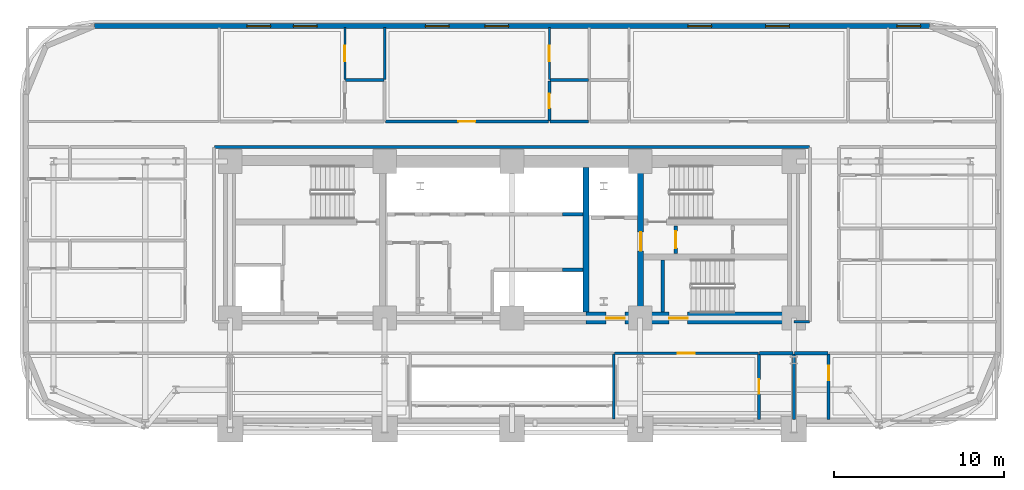
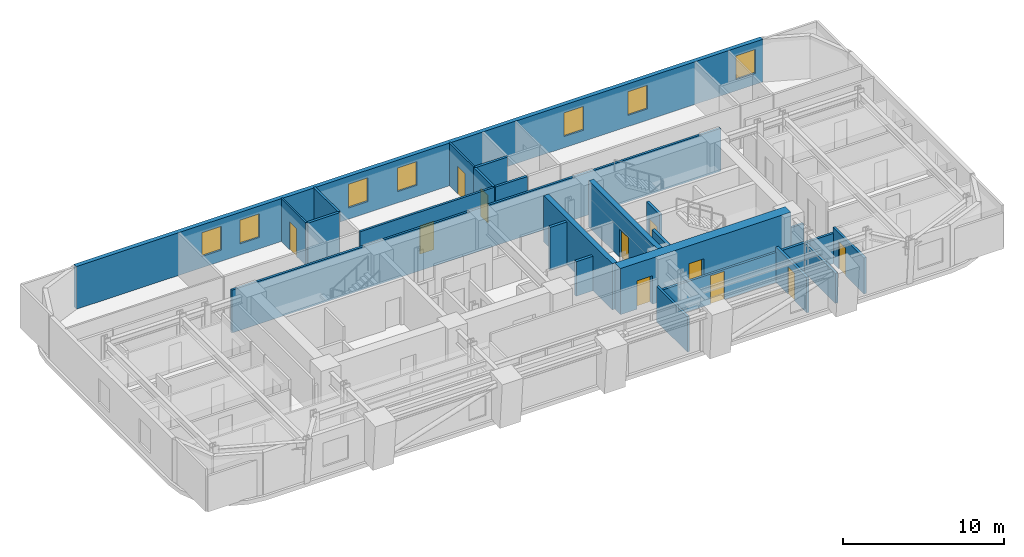
# One storey, part 10 of 16: 25 walls, 11 doors, 7 windows, 18 openings.
"""IFC4 building model written with IfcOpenShell, lengths in metres."""

from ifc_helpers import new_model, si_unit, direction, frame, frame_2d, origin, place, context, subcontext, project, spatial, rectangle, extrude, material, layer, layer_set, type_object, element, fill, save


model = new_model("IFC4")

# Units and contexts
model_context = context("Model", 3, precision=1e-05, world=origin(), true_north=direction((0.0, 1.0)))
body_context = subcontext(model_context, "Body", "Model", "MODEL_VIEW")
ifc_project = project(units=[si_unit("LENGTHUNIT", "METRE"), si_unit("AREAUNIT", "SQUARE_METRE"), si_unit("VOLUMEUNIT", "CUBIC_METRE"), si_unit("PLANEANGLEUNIT", "RADIAN"), si_unit("MASSUNIT", "GRAM", prefix="KILO")], contexts=[model_context])

# Site, building, storey
site_placement = place(None, origin())
site = spatial("IfcSite", under=ifc_project, at=site_placement, CompositionType="ELEMENT")
building_placement = place(site_placement, origin())
building = spatial("IfcBuilding", under=site, at=building_placement, Name="Zarnavel Station Tower", CompositionType="ELEMENT")
storey_placement = place(building_placement, frame((0.0, 0.0, 53.5)))
storey = spatial("IfcBuildingStorey", under=building, at=storey_placement, Name="L14", CompositionType="ELEMENT", Elevation=53.5)

# Wall
ifc_material_1 = material(Name="Concrete C50/60", Category="concrete")
ifc_layer_1 = layer(ifc_material_1, 0.35009765625)
ifc_layer_set_1 = layer_set([ifc_layer_1], Name="CW_350")
wall_type_1 = type_object("IfcWallType", Name="CW_350", PredefinedType="SHEAR", material=ifc_layer_set_1)
wall_1_placement = place(storey_placement, frame((33.14990234375, 28.169921875, 0.0), z_axis=(0.0, 0.0, 1.0), x_axis=(0.0, 1.0, 0.0)))
element("IfcWall", 1, at=wall_1_placement, inside=storey, type_object=wall_type_1, Name="L14 Rear Core Shear Wall DIV-E", PredefinedType="SHEAR", context=body_context, shape_type="SweptSolid", body=[
    extrude(rectangle(XDim=8.530029296875, YDim=0.35009765625, at=frame_2d((4.26513671875, 0.0))), origin(), (0.0, 0.0, 1.0), 3.5),
])

# Wall, opening, door
wall_2_placement = place(storey_placement, frame((36.3798828125, 28.169921875, 0.0), z_axis=(0.0, 0.0, 1.0), x_axis=(0.0, 1.0, 0.0)))
wall_2 = element("IfcWall", 2, at=wall_2_placement, inside=storey, type_object=wall_type_1, Name="L14 Rear Core Shear Wall DIV-S2", PredefinedType="SHEAR", context=body_context, shape_type="SweptSolid", body=[
    extrude(rectangle(XDim=8.530029296875, YDim=0.35009765625, at=frame_2d((4.26513671875, 0.0))), origin(), (0.0, 0.0, 1.0), 3.5),
])
opening_1_placement = place(wall_2_placement, frame((3.610107421875, 0.0, 0.0)))
opening_1 = element("IfcOpeningElement", 3, at=opening_1_placement, cuts=wall_2, Name="Opening FD01", PredefinedType="OPENING", context=body_context, shape_type="SweptSolid", body=[
    extrude(rectangle(XDim=1.10009765625, YDim=2.14990234375, at=frame_2d((0.550048828125, 1.074951171875))), frame((0.0, 0.18505859375, 0.0), z_axis=(0.0, -1.0, 0.0), x_axis=(1.0, 0.0, 0.0)), (0.0, 0.0, 1.0), 0.3701171875),
])
ifc_material_2 = material(Name="Painted Galvanised Steel and Hardwood Leaf", Category="steel")
door_type_1 = type_object("IfcDoorType", Name="ID_STAIR_1100", OperationType="NOTDEFINED", PredefinedType="DOOR", material=ifc_material_2)
door_1_placement = place(opening_1_placement, origin())
door_1 = element("IfcDoor", 4, at=door_1_placement, inside=storey, type_object=door_type_1, Name="L14 East Stair Vestibule Fire Door", OperationType="SINGLE_SWING_LEFT", OverallHeight=2.14990234375, OverallWidth=1.10009765625, PredefinedType="DOOR", context=body_context, shape_type="SweptSolid", body=[
    extrude(rectangle(XDim=1.10009765625, YDim=2.14990234375, at=frame_2d((0.550048828125, 1.074951171875))), frame((0.0, 0.02490234375, 0.0), z_axis=(0.0, -1.0, 0.0), x_axis=(1.0, 0.0, 0.0)), (0.0, 0.0, 1.0), 0.050048828125),
])
fill(opening_1, door_1)

# Wall, openings, doors
ifc_material_3 = material(Name="Concrete C60/75", Category="concrete")
ifc_layer_2 = layer(ifc_material_3, 0.699951171875)
ifc_layer_set_2 = layer_set([ifc_layer_2], Name="CW_700")
wall_type_2 = type_object("IfcWallType", Name="CW_700", PredefinedType="SHEAR", material=ifc_layer_set_2)
wall_3_placement = place(storey_placement, frame((45.3798828125, 27.820068359375, 0.0), z_axis=(0.0, 0.0, 1.0), x_axis=(-1.0, 0.0, 0.0)))
wall_3 = element("IfcWall", 5, at=wall_3_placement, inside=storey, type_object=wall_type_2, Name="L14 Rear Core Shear Wall S-E", PredefinedType="SHEAR", context=body_context, shape_type="SweptSolid", body=[
    extrude(rectangle(XDim=12.22998046875, YDim=0.699951171875, at=frame_2d((6.114990234375, 0.0))), origin(), (0.0, 0.0, 1.0), 3.5),
])
opening_2_placement = place(wall_3_placement, frame((9.929931640625, 0.0, 0.0)))
opening_2 = element("IfcOpeningElement", 6, at=opening_2_placement, cuts=wall_3, Name="Opening FD01", PredefinedType="OPENING", context=body_context, shape_type="SweptSolid", body=[
    extrude(rectangle(XDim=1.10009765625, YDim=2.14990234375, at=frame_2d((0.550048828125, 1.074951171875))), frame((0.0, 0.35986328125, 0.0), z_axis=(0.0, -1.0, 0.0), x_axis=(1.0, 0.0, 0.0)), (0.0, 0.0, 1.0), 0.719970703125),
])
opening_3_placement = place(wall_3_placement, frame((6.22998046875, 0.0, 0.0)))
opening_3 = element("IfcOpeningElement", 7, at=opening_3_placement, cuts=wall_3, Name="Opening FD01", PredefinedType="OPENING", context=body_context, shape_type="SweptSolid", body=[
    extrude(rectangle(XDim=1.10009765625, YDim=2.14990234375, at=frame_2d((0.550048828125, 1.074951171875))), frame((0.0, 0.35986328125, 0.0), z_axis=(0.0, -1.0, 0.0), x_axis=(1.0, 0.0, 0.0)), (0.0, 0.0, 1.0), 0.719970703125),
])
door_2_placement = place(opening_2_placement, origin())
door_2 = element("IfcDoor", 8, at=door_2_placement, inside=storey, type_object=door_type_1, Name="L14 East Firefighting Lobby Door", OperationType="SINGLE_SWING_LEFT", OverallHeight=2.14990234375, OverallWidth=1.10009765625, PredefinedType="DOOR", context=body_context, shape_type="SweptSolid", body=[
    extrude(rectangle(XDim=1.10009765625, YDim=2.14990234375, at=frame_2d((0.550048828125, 1.074951171875))), frame((0.0, 0.02490234375, 0.0), z_axis=(0.0, -1.0, 0.0), x_axis=(1.0, 0.0, 0.0)), (0.0, 0.0, 1.0), 0.050048828125),
])
fill(opening_2, door_2)
door_3_placement = place(opening_3_placement, origin())
door_3 = element("IfcDoor", 9, at=door_3_placement, inside=storey, type_object=door_type_1, Name="L14 Stair ST3 Corridor Fire Door", OperationType="SINGLE_SWING_RIGHT", OverallHeight=2.14990234375, OverallWidth=1.10009765625, PredefinedType="DOOR", context=body_context, shape_type="SweptSolid", body=[
    extrude(rectangle(XDim=1.10009765625, YDim=2.14990234375, at=frame_2d((0.550048828125, 1.074951171875))), frame((0.0, 0.02490234375, 0.0), z_axis=(0.0, -1.0, 0.0), x_axis=(1.0, 0.0, 0.0)), (0.0, 0.0, 1.0), 0.050048828125),
])
fill(opening_3, door_3)

# Wall, openings, windows
ifc_material_4 = material(Name="Precast concrete C45/55 (Dark Basalt Finish)", Category="masonry")
ifc_layer_3 = layer(ifc_material_4, 0.300048828125)
ifc_layer_set_3 = layer_set([ifc_layer_3], Name="EW_BASALT_300")
wall_type_3 = type_object("IfcWallType", Name="EW_BASALT_300", PredefinedType="SOLIDWALL", material=ifc_layer_set_3)
wall_4_placement = place(storey_placement, frame((4.199951171875, 45.02001953125, 0.0), z_axis=(0.0, 0.0, 1.0), x_axis=(1.0, 0.0, 0.0)))
wall_4 = element("IfcWall", 10, at=wall_4_placement, inside=storey, type_object=wall_type_3, Name="L14 Exterior Basalt Masonry Frame Wall 06", PredefinedType="SOLIDWALL", context=body_context, shape_type="SweptSolid", body=[
    extrude(rectangle(XDim=49.199951171875, YDim=0.300048828125, at=frame_2d((24.60009765625, 0.0))), origin(), (0.0, 0.0, 1.0), 3.239990234375),
])
opening_4_placement = place(wall_4_placement, frame((8.989990234375, 0.0, 0.85009765625)))
opening_4 = element("IfcOpeningElement", 11, at=opening_4_placement, cuts=wall_4, Name="Opening WN01", PredefinedType="OPENING", context=body_context, shape_type="SweptSolid", body=[
    extrude(rectangle(XDim=1.39990234375, YDim=1.800048828125, at=frame_2d((0.699951171875, 0.89990234375))), frame((0.0, 0.159912109375, 0.0), z_axis=(0.0, -1.0, 0.0), x_axis=(1.0, 0.0, 0.0)), (0.0, 0.0, 1.0), 0.320068359375),
])
opening_5_placement = place(wall_4_placement, frame((11.719970703125, 0.0, 0.85009765625)))
opening_5 = element("IfcOpeningElement", 12, at=opening_5_placement, cuts=wall_4, Name="Opening WN01", PredefinedType="OPENING", context=body_context, shape_type="SweptSolid", body=[
    extrude(rectangle(XDim=1.39990234375, YDim=1.800048828125, at=frame_2d((0.699951171875, 0.89990234375))), frame((0.0, 0.159912109375, 0.0), z_axis=(0.0, -1.0, 0.0), x_axis=(1.0, 0.0, 0.0)), (0.0, 0.0, 1.0), 0.320068359375),
])
opening_6_placement = place(wall_4_placement, frame((19.4990234375, 0.0, 0.85009765625)))
opening_6 = element("IfcOpeningElement", 13, at=opening_6_placement, cuts=wall_4, Name="Opening WN01", PredefinedType="OPENING", context=body_context, shape_type="SweptSolid", body=[
    extrude(rectangle(XDim=1.39990234375, YDim=1.800048828125, at=frame_2d((0.699951171875, 0.89990234375))), frame((0.0, 0.159912109375, 0.0), z_axis=(0.0, -1.0, 0.0), x_axis=(1.0, 0.0, 0.0)), (0.0, 0.0, 1.0), 0.320068359375),
])
opening_7_placement = place(wall_4_placement, frame((22.998046875, 0.0, 0.85009765625)))
opening_7 = element("IfcOpeningElement", 14, at=opening_7_placement, cuts=wall_4, Name="Opening WN01", PredefinedType="OPENING", context=body_context, shape_type="SweptSolid", body=[
    extrude(rectangle(XDim=1.39990234375, YDim=1.800048828125, at=frame_2d((0.699951171875, 0.89990234375))), frame((0.0, 0.159912109375, 0.0), z_axis=(0.0, -1.0, 0.0), x_axis=(1.0, 0.0, 0.0)), (0.0, 0.0, 1.0), 0.320068359375),
])
opening_8_placement = place(wall_4_placement, frame((34.964599609375, 0.0, 0.85009765625)))
opening_8 = element("IfcOpeningElement", 15, at=opening_8_placement, cuts=wall_4, Name="Opening WN01", PredefinedType="OPENING", context=body_context, shape_type="SweptSolid", body=[
    extrude(rectangle(XDim=1.39990234375, YDim=1.800048828125, at=frame_2d((0.699951171875, 0.89990234375))), frame((0.0, 0.159912109375, 0.0), z_axis=(0.0, -1.0, 0.0), x_axis=(1.0, 0.0, 0.0)), (0.0, 0.0, 1.0), 0.320068359375),
])
opening_9_placement = place(wall_4_placement, frame((39.5322265625, 0.0, 0.85009765625)))
opening_9 = element("IfcOpeningElement", 16, at=opening_9_placement, cuts=wall_4, Name="Opening WN01", PredefinedType="OPENING", context=body_context, shape_type="SweptSolid", body=[
    extrude(rectangle(XDim=1.39990234375, YDim=1.800048828125, at=frame_2d((0.699951171875, 0.89990234375))), frame((0.0, 0.159912109375, 0.0), z_axis=(0.0, -1.0, 0.0), x_axis=(1.0, 0.0, 0.0)), (0.0, 0.0, 1.0), 0.320068359375),
])
opening_10_placement = place(wall_4_placement, frame((47.264892578125, 0.0, 0.85009765625)))
opening_10 = element("IfcOpeningElement", 17, at=opening_10_placement, cuts=wall_4, Name="Opening WN01", PredefinedType="OPENING", context=body_context, shape_type="SweptSolid", body=[
    extrude(rectangle(XDim=1.39990234375, YDim=1.800048828125, at=frame_2d((0.699951171875, 0.89990234375))), frame((0.0, 0.159912109375, 0.0), z_axis=(0.0, -1.0, 0.0), x_axis=(1.0, 0.0, 0.0)), (0.0, 0.0, 1.0), 0.320068359375),
])
ifc_material_5 = material(Name="Thermally Broken Black Aluminium and Low-E Dark Glass", Category="aluminium")
window_type = type_object("IfcWindowType", Name="WN_1400x1800", PartitioningType="DOUBLE_PANEL_VERTICAL", PredefinedType="WINDOW", material=ifc_material_5)
window_1_placement = place(opening_4_placement, origin())
window_1 = element("IfcWindow", 18, at=window_1_placement, inside=storey, type_object=window_type, Name="L14 Recessed Facade Window 01", OverallHeight=1.800048828125, OverallWidth=1.39990234375, PartitioningType="SINGLE_PANEL", PredefinedType="WINDOW", context=body_context, shape_type="SweptSolid", body=[
    extrude(rectangle(XDim=1.39990234375, YDim=1.800048828125, at=frame_2d((0.699951171875, 0.89990234375))), frame((0.0, 0.030029296875, 0.0), z_axis=(0.0, -1.0, 0.0), x_axis=(1.0, 0.0, 0.0)), (0.0, 0.0, 1.0), 0.06005859375),
])
fill(opening_4, window_1)
window_2_placement = place(opening_5_placement, origin())
window_2 = element("IfcWindow", 19, at=window_2_placement, inside=storey, type_object=window_type, Name="L14 Recessed Facade Window 02", OverallHeight=1.800048828125, OverallWidth=1.39990234375, PartitioningType="SINGLE_PANEL", PredefinedType="WINDOW", context=body_context, shape_type="SweptSolid", body=[
    extrude(rectangle(XDim=1.39990234375, YDim=1.800048828125, at=frame_2d((0.699951171875, 0.89990234375))), frame((0.0, 0.030029296875, 0.0), z_axis=(0.0, -1.0, 0.0), x_axis=(1.0, 0.0, 0.0)), (0.0, 0.0, 1.0), 0.06005859375),
])
fill(opening_5, window_2)
window_3_placement = place(opening_6_placement, origin())
window_3 = element("IfcWindow", 20, at=window_3_placement, inside=storey, type_object=window_type, Name="L14 Recessed Facade Window 03", OverallHeight=1.800048828125, OverallWidth=1.39990234375, PartitioningType="SINGLE_PANEL", PredefinedType="WINDOW", context=body_context, shape_type="SweptSolid", body=[
    extrude(rectangle(XDim=1.39990234375, YDim=1.800048828125, at=frame_2d((0.699951171875, 0.89990234375))), frame((0.0, 0.030029296875, 0.0), z_axis=(0.0, -1.0, 0.0), x_axis=(1.0, 0.0, 0.0)), (0.0, 0.0, 1.0), 0.06005859375),
])
fill(opening_6, window_3)
window_4_placement = place(opening_7_placement, origin())
window_4 = element("IfcWindow", 21, at=window_4_placement, inside=storey, type_object=window_type, Name="L14 Recessed Facade Window 04", OverallHeight=1.800048828125, OverallWidth=1.39990234375, PartitioningType="SINGLE_PANEL", PredefinedType="WINDOW", context=body_context, shape_type="SweptSolid", body=[
    extrude(rectangle(XDim=1.39990234375, YDim=1.800048828125, at=frame_2d((0.699951171875, 0.89990234375))), frame((0.0, 0.030029296875, 0.0), z_axis=(0.0, -1.0, 0.0), x_axis=(1.0, 0.0, 0.0)), (0.0, 0.0, 1.0), 0.06005859375),
])
fill(opening_7, window_4)
window_5_placement = place(opening_8_placement, origin())
window_5 = element("IfcWindow", 22, at=window_5_placement, inside=storey, type_object=window_type, Name="L14 Recessed Facade Window 05", OverallHeight=1.800048828125, OverallWidth=1.39990234375, PartitioningType="SINGLE_PANEL", PredefinedType="WINDOW", context=body_context, shape_type="SweptSolid", body=[
    extrude(rectangle(XDim=1.39990234375, YDim=1.800048828125, at=frame_2d((0.699951171875, 0.89990234375))), frame((0.0, 0.030029296875, 0.0), z_axis=(0.0, -1.0, 0.0), x_axis=(1.0, 0.0, 0.0)), (0.0, 0.0, 1.0), 0.06005859375),
])
fill(opening_8, window_5)
window_6_placement = place(opening_9_placement, origin())
window_6 = element("IfcWindow", 23, at=window_6_placement, inside=storey, type_object=window_type, Name="L14 Recessed Facade Window 06", OverallHeight=1.800048828125, OverallWidth=1.39990234375, PartitioningType="SINGLE_PANEL", PredefinedType="WINDOW", context=body_context, shape_type="SweptSolid", body=[
    extrude(rectangle(XDim=1.39990234375, YDim=1.800048828125, at=frame_2d((0.699951171875, 0.89990234375))), frame((0.0, 0.030029296875, 0.0), z_axis=(0.0, -1.0, 0.0), x_axis=(1.0, 0.0, 0.0)), (0.0, 0.0, 1.0), 0.06005859375),
])
fill(opening_9, window_6)
window_7_placement = place(opening_10_placement, origin())
window_7 = element("IfcWindow", 24, at=window_7_placement, inside=storey, type_object=window_type, Name="L14 Recessed Facade Window 07", OverallHeight=1.800048828125, OverallWidth=1.39990234375, PartitioningType="SINGLE_PANEL", PredefinedType="WINDOW", context=body_context, shape_type="SweptSolid", body=[
    extrude(rectangle(XDim=1.39990234375, YDim=1.800048828125, at=frame_2d((0.699951171875, 0.89990234375))), frame((0.0, 0.030029296875, 0.0), z_axis=(0.0, -1.0, 0.0), x_axis=(1.0, 0.0, 0.0)), (0.0, 0.0, 1.0), 0.06005859375),
])
fill(opening_10, window_7)

# Wall, opening, door
ifc_material_6 = material(Name="Gypsum Twin-Stud Acoustic Fire Partition", Category="concrete")
ifc_layer_4 = layer(ifc_material_6, 0.159912109375)
ifc_layer_set_4 = layer_set([ifc_layer_4], Name="PT_DEMISE_160")
wall_type_4 = type_object("IfcWallType", Name="PT_DEMISE_160", PredefinedType="PARTITIONING", material=ifc_layer_set_4)
wall_5_placement = place(storey_placement, frame((34.840087890625, 25.75, 0.0), z_axis=(0.0, 0.0, 1.0), x_axis=(1.0, 0.0, 0.0)))
wall_5 = element("IfcWall", 25, at=wall_5_placement, inside=storey, type_object=wall_type_4, Name="L14 Partition COR-S-HE1R", PredefinedType="PARTITIONING", context=body_context, shape_type="SweptSolid", body=[
    extrude(rectangle(XDim=8.469970703125, YDim=0.159912109375, at=frame_2d((4.23486328125, 0.0))), origin(), (0.0, 0.0, 1.0), 2.280029296875),
])
opening_11_placement = place(wall_5_placement, frame((3.735107421875, 0.0, 0.0)))
opening_11 = element("IfcOpeningElement", 26, at=opening_11_placement, cuts=wall_5, Name="Opening FD02", PredefinedType="OPENING", context=body_context, shape_type="SweptSolid", body=[
    extrude(rectangle(XDim=1.0, YDim=2.14990234375, at=frame_2d((0.5, 1.074951171875))), frame((0.0, 0.08984375, 0.0), z_axis=(0.0, -1.0, 0.0), x_axis=(1.0, 0.0, 0.0)), (0.0, 0.0, 1.0), 0.179931640625),
])
ifc_material_7 = material(Name="Painted Galvanised Steel and Hardwood Leaf", Category="steel")
door_type_2 = type_object("IfcDoorType", Name="ID_ENTRY_1000", OperationType="NOTDEFINED", PredefinedType="DOOR", material=ifc_material_7)
door_4_placement = place(opening_11_placement, origin())
door_4 = element("IfcDoor", 27, at=door_4_placement, inside=storey, type_object=door_type_2, Name="L14 Door COR-S-HE1R", OperationType="SINGLE_SWING_RIGHT", OverallHeight=2.14990234375, OverallWidth=1.0, PredefinedType="DOOR", context=body_context, shape_type="SweptSolid", body=[
    extrude(rectangle(XDim=1.0, YDim=2.14990234375, at=frame_2d((0.5, 1.074951171875))), frame((0.0, 0.02490234375, 0.0), z_axis=(0.0, -1.0, 0.0), x_axis=(1.0, 0.0, 0.0)), (0.0, 0.0, 1.0), 0.050048828125),
])
fill(opening_11, door_4)

wall_6_placement = place(storey_placement, frame((21.340087890625, 39.39990234375, 0.0), z_axis=(0.0, 0.0, 1.0), x_axis=(1.0, 0.0, 0.0)))
wall_6 = element("IfcWall", 28, at=wall_6_placement, inside=storey, type_object=wall_type_4, Name="L14 Partition COR-N-HN2R", PredefinedType="PARTITIONING", context=body_context, shape_type="SweptSolid", body=[
    extrude(rectangle(XDim=9.616943359375, YDim=0.159912109375, at=frame_2d((4.80859375, 0.0))), origin(), (0.0, 0.0, 1.0), 3.239990234375),
])
opening_12_placement = place(wall_6_placement, frame((4.30859375, 0.0, 0.0)))
opening_12 = element("IfcOpeningElement", 29, at=opening_12_placement, cuts=wall_6, Name="Opening FD02", PredefinedType="OPENING", context=body_context, shape_type="SweptSolid", body=[
    extrude(rectangle(XDim=1.0, YDim=2.14990234375, at=frame_2d((0.5, 1.074951171875))), frame((0.0, 0.08984375, 0.0), z_axis=(0.0, -1.0, 0.0), x_axis=(1.0, 0.0, 0.0)), (0.0, 0.0, 1.0), 0.179931640625),
])
door_5_placement = place(opening_12_placement, origin())
door_5 = element("IfcDoor", 30, at=door_5_placement, inside=storey, type_object=door_type_2, Name="L14 Door COR-N-HN2R", OperationType="SINGLE_SWING_RIGHT", OverallHeight=2.14990234375, OverallWidth=1.0, PredefinedType="DOOR", context=body_context, shape_type="SweptSolid", body=[
    extrude(rectangle(XDim=1.0, YDim=2.14990234375, at=frame_2d((0.5, 1.074951171875))), frame((0.0, 0.02490234375, 0.0), z_axis=(0.0, -1.0, 0.0), x_axis=(1.0, 0.0, 0.0)), (0.0, 0.0, 1.0), 0.050048828125),
])
fill(opening_12, door_5)

# Walls
wall_7_placement = place(storey_placement, frame((21.300048828125, 41.8779296875, 0.0), z_axis=(0.0, 0.0, 1.0), x_axis=(0.0, 1.0, 0.0)))
element("IfcWall", 31, at=wall_7_placement, inside=storey, type_object=wall_type_4, Name="L14 Partition HN1S-HN2R", PredefinedType="PARTITIONING", context=body_context, shape_type="SweptSolid", body=[
    extrude(rectangle(XDim=3.06201171875, YDim=0.159912109375, at=frame_2d((1.531005859375, 0.0))), origin(), (0.0, 0.0, 1.0), 3.239990234375),
])
wall_8_placement = place(storey_placement, frame((45.409912109375, 27.60009765625, 0.0), z_axis=(0.0, 0.0, 1.0), x_axis=(1.0, 0.0, 0.0)))
element("IfcWall", 32, at=wall_8_placement, inside=storey, type_object=wall_type_4, Name="L14 Enclosure Wall COR-S", PredefinedType="PARTITIONING", context=body_context, shape_type="SweptSolid", body=[
    extrude(rectangle(XDim=0.91015625, YDim=0.159912109375, at=frame_2d((0.455078125, 0.0))), origin(), (0.0, 0.0, 1.0), 2.280029296875),
])
wall_9_placement = place(storey_placement, frame((11.280029296875, 37.89990234375, 0.0), z_axis=(0.0, 0.0, 1.0), x_axis=(1.0, 0.0, 0.0)))
element("IfcWall", 33, at=wall_9_placement, inside=storey, type_object=wall_type_4, Name="L14 Enclosure Wall COR-N", PredefinedType="PARTITIONING", context=body_context, shape_type="SweptSolid", body=[
    extrude(rectangle(XDim=35.0400390625, YDim=0.159912109375, at=frame_2d((17.52001953125, 0.0))), origin(), (0.0, 0.0, 1.0), 3.239990234375),
])
wall_10_placement = place(storey_placement, frame((34.800048828125, 21.889892578125, 0.0), z_axis=(0.0, 0.0, 1.0), x_axis=(0.0, 1.0, 0.0)))
element("IfcWall", 34, at=wall_10_placement, inside=storey, type_object=wall_type_4, Name="L14 Enclosure Wall HE1R", PredefinedType="PARTITIONING", context=body_context, shape_type="SweptSolid", body=[
    extrude(rectangle(XDim=3.830078125, YDim=0.159912109375, at=frame_2d((1.9150390625, 0.0))), origin(), (0.0, 0.0, 1.0), 2.679931640625),
])

# Wall, opening, door
ifc_material_8 = material(Name="Gypsum Metal-Stud Interior Partition", Category="concrete")
ifc_layer_5 = layer(ifc_material_8, 0.1201171875)
ifc_layer_set_5 = layer_set([ifc_layer_5], Name="PT_ROOM_120")
wall_type_5 = type_object("IfcWallType", Name="PT_ROOM_120", PredefinedType="PARTITIONING", material=ifc_layer_set_5)
wall_11_placement = place(storey_placement, frame((18.949951171875, 41.8779296875, 0.0), z_axis=(0.0, 0.0, 1.0), x_axis=(0.0, 1.0, 0.0)))
wall_11 = element("IfcWall", 35, at=wall_11_placement, inside=storey, type_object=wall_type_5, Name="L14 Partition HN1R-HN1S", PredefinedType="PARTITIONING", context=body_context, shape_type="SweptSolid", body=[
    extrude(rectangle(XDim=3.06201171875, YDim=0.1201171875, at=frame_2d((1.531005859375, 0.0))), origin(), (0.0, 0.0, 1.0), 3.239990234375),
])
opening_13_placement = place(wall_11_placement, frame((1.0810546875, 0.0, 0.0)))
opening_13 = element("IfcOpeningElement", 36, at=opening_13_placement, cuts=wall_11, Name="Opening ID01", PredefinedType="OPENING", context=body_context, shape_type="SweptSolid", body=[
    extrude(rectangle(XDim=0.89990234375, YDim=2.10009765625, at=frame_2d((0.449951171875, 1.050048828125))), frame((0.0, 0.070068359375, 0.0), z_axis=(0.0, -1.0, 0.0), x_axis=(1.0, 0.0, 0.0)), (0.0, 0.0, 1.0), 0.14013671875),
])
ifc_material_9 = material(Name="Painted Galvanised Steel and Hardwood Leaf", Category="steel")
door_type_3 = type_object("IfcDoorType", Name="ID_ROOM_900", OperationType="NOTDEFINED", PredefinedType="DOOR", material=ifc_material_9)
door_6_placement = place(opening_13_placement, origin())
door_6 = element("IfcDoor", 37, at=door_6_placement, inside=storey, type_object=door_type_3, Name="L14 Door HN1R-HN1S", OperationType="SINGLE_SWING_RIGHT", OverallHeight=2.10009765625, OverallWidth=0.89990234375, PredefinedType="DOOR", context=body_context, shape_type="SweptSolid", body=[
    extrude(rectangle(XDim=0.89990234375, YDim=2.10009765625, at=frame_2d((0.449951171875, 1.050048828125))), frame((0.0, 0.02490234375, 0.0), z_axis=(0.0, -1.0, 0.0), x_axis=(1.0, 0.0, 0.0)), (0.0, 0.0, 1.0), 0.050048828125),
])
fill(opening_13, door_6)

wall_12_placement = place(storey_placement, frame((30.9970703125, 41.8779296875, 0.0), z_axis=(0.0, 0.0, 1.0), x_axis=(0.0, 1.0, 0.0)))
wall_12 = element("IfcWall", 38, at=wall_12_placement, inside=storey, type_object=wall_type_5, Name="L14 Partition HN2R-HN2S", PredefinedType="PARTITIONING", context=body_context, shape_type="SweptSolid", body=[
    extrude(rectangle(XDim=3.06201171875, YDim=0.1201171875, at=frame_2d((1.531005859375, 0.0))), origin(), (0.0, 0.0, 1.0), 3.239990234375),
])
opening_14_placement = place(wall_12_placement, frame((1.0810546875, 0.0, 0.0)))
opening_14 = element("IfcOpeningElement", 39, at=opening_14_placement, cuts=wall_12, Name="Opening ID01", PredefinedType="OPENING", context=body_context, shape_type="SweptSolid", body=[
    extrude(rectangle(XDim=0.89990234375, YDim=2.10009765625, at=frame_2d((0.449951171875, 1.050048828125))), frame((0.0, 0.070068359375, 0.0), z_axis=(0.0, -1.0, 0.0), x_axis=(1.0, 0.0, 0.0)), (0.0, 0.0, 1.0), 0.14013671875),
])
door_7_placement = place(opening_14_placement, origin())
door_7 = element("IfcDoor", 40, at=door_7_placement, inside=storey, type_object=door_type_3, Name="L14 Door HN2R-HN2S", OperationType="SINGLE_SWING_RIGHT", OverallHeight=2.10009765625, OverallWidth=0.89990234375, PredefinedType="DOOR", context=body_context, shape_type="SweptSolid", body=[
    extrude(rectangle(XDim=0.89990234375, YDim=2.10009765625, at=frame_2d((0.449951171875, 1.050048828125))), frame((0.0, 0.02490234375, 0.0), z_axis=(0.0, -1.0, 0.0), x_axis=(1.0, 0.0, 0.0)), (0.0, 0.0, 1.0), 0.050048828125),
])
fill(opening_14, door_7)

# Walls
ifc_material_10 = material(Name="Precast concrete C45/55 (Fire Shaft Blockwork)", Category="masonry")
ifc_layer_6 = layer(ifc_material_10, 0.199951171875)
ifc_layer_set_6 = layer_set([ifc_layer_6], Name="PT_SHAFT_200")
wall_type_6 = type_object("IfcWallType", Name="PT_SHAFT_200", PredefinedType="PARTITIONING", material=ifc_layer_set_6)
wall_13_placement = place(storey_placement, frame((31.77490234375, 30.669921875, 0.0), z_axis=(0.0, 0.0, 1.0), x_axis=(1.0, 0.0, 0.0)))
element("IfcWall", 41, at=wall_13_placement, inside=storey, type_object=wall_type_6, Name="L14 Lift PL-H3 Shaft Front Wall", PredefinedType="PARTITIONING", context=body_context, shape_type="SweptSolid", body=[
    extrude(rectangle(XDim=1.2001953125, YDim=0.199951171875, at=frame_2d((0.60009765625, 0.0))), origin(), (0.0, 0.0, 1.0), 2.6201171875),
])
wall_14_placement = place(storey_placement, frame((31.77490234375, 33.929931640625, 0.0), z_axis=(0.0, 0.0, 1.0), x_axis=(1.0, 0.0, 0.0)))
element("IfcWall", 42, at=wall_14_placement, inside=storey, type_object=wall_type_6, Name="L14 Lift PL-M3 Shaft Front Wall", PredefinedType="PARTITIONING", context=body_context, shape_type="SweptSolid", body=[
    extrude(rectangle(XDim=1.2001953125, YDim=0.199951171875, at=frame_2d((0.60009765625, 0.0))), origin(), (0.0, 0.0, 1.0), 3.239990234375),
])
wall_15_placement = place(storey_placement, frame((37.679931640625, 28.169921875, 0.0), z_axis=(0.0, 0.0, 1.0), x_axis=(0.0, 1.0, 0.0)))
element("IfcWall", 43, at=wall_15_placement, inside=storey, type_object=wall_type_6, Name="L14 Stair ST3 West Shaft Wall", PredefinedType="PARTITIONING", context=body_context, shape_type="SweptSolid", body=[
    extrude(rectangle(XDim=3.080078125, YDim=0.199951171875, at=frame_2d((1.5400390625, 0.0))), origin(), (0.0, 0.0, 1.0), 2.6201171875),
])

# Wall, opening, door
wall_16_placement = place(storey_placement, frame((38.449951171875, 31.639892578125, 0.0), z_axis=(0.0, 0.0, 1.0), x_axis=(0.0, 1.0, 0.0)))
wall_16 = element("IfcWall", 44, at=wall_16_placement, inside=storey, type_object=wall_type_6, Name="L14 Partition ESTV-CEA", PredefinedType="PARTITIONING", context=body_context, shape_type="SweptSolid", body=[
    extrude(rectangle(XDim=1.6201171875, YDim=0.199951171875, at=frame_2d((0.81005859375, 0.0))), origin(), (0.0, 0.0, 1.0), 3.239990234375),
])
opening_15_placement = place(wall_16_placement, frame((0.31005859375, 0.0, 0.0)))
opening_15 = element("IfcOpeningElement", 45, at=opening_15_placement, cuts=wall_16, Name="Opening FD02", PredefinedType="OPENING", context=body_context, shape_type="SweptSolid", body=[
    extrude(rectangle(XDim=1.0, YDim=2.14990234375, at=frame_2d((0.5, 1.074951171875))), frame((0.0, 0.10986328125, 0.0), z_axis=(0.0, -1.0, 0.0), x_axis=(1.0, 0.0, 0.0)), (0.0, 0.0, 1.0), 0.219970703125),
])
door_8_placement = place(opening_15_placement, origin())
door_8 = element("IfcDoor", 46, at=door_8_placement, inside=storey, type_object=door_type_2, Name="L14 Door ESTV-CEA", OperationType="SINGLE_SWING_LEFT", OverallHeight=2.14990234375, OverallWidth=1.0, PredefinedType="DOOR", context=body_context, shape_type="SweptSolid", body=[
    extrude(rectangle(XDim=1.0, YDim=2.14990234375, at=frame_2d((0.5, 1.074951171875))), frame((0.0, 0.02490234375, 0.0), z_axis=(0.0, -1.0, 0.0), x_axis=(1.0, 0.0, 0.0)), (0.0, 0.0, 1.0), 0.050048828125),
])
fill(opening_15, door_8)

# Walls
ifc_material_11 = material(Name="Moisture-Resistant Plumbing Chase Wall", Category="concrete")
ifc_layer_7 = layer(ifc_material_11, 0.179931640625)
ifc_layer_set_7 = layer_set([ifc_layer_7], Name="PW_PLUMB_180")
wall_type_7 = type_object("IfcWallType", Name="PW_PLUMB_180", PredefinedType="PLUMBINGWALL", material=ifc_layer_set_7)
wall_17_placement = place(storey_placement, frame((43.389892578125, 25.75, 0.0), z_axis=(0.0, 0.0, 1.0), x_axis=(1.0, 0.0, 0.0)))
element("IfcWall", 47, at=wall_17_placement, inside=storey, type_object=wall_type_7, Name="L14 Partition COR-S-HE1B", PredefinedType="PLUMBINGWALL", context=body_context, shape_type="SweptSolid", body=[
    extrude(rectangle(XDim=1.97021484375, YDim=0.179931640625, at=frame_2d((0.985107421875, 0.0))), origin(), (0.0, 0.0, 1.0), 2.280029296875),
])
wall_18_placement = place(storey_placement, frame((45.43994140625, 25.75, 0.0), z_axis=(0.0, 0.0, 1.0), x_axis=(1.0, 0.0, 0.0)))
element("IfcWall", 48, at=wall_18_placement, inside=storey, type_object=wall_type_7, Name="L14 Partition COR-S-HE2B", PredefinedType="PLUMBINGWALL", context=body_context, shape_type="SweptSolid", body=[
    extrude(rectangle(XDim=1.969970703125, YDim=0.179931640625, at=frame_2d((0.98486328125, 0.0))), origin(), (0.0, 0.0, 1.0), 2.280029296875),
])
wall_19_placement = place(storey_placement, frame((31.037109375, 39.39990234375, 0.0), z_axis=(0.0, 0.0, 1.0), x_axis=(1.0, 0.0, 0.0)))
element("IfcWall", 49, at=wall_19_placement, inside=storey, type_object=wall_type_7, Name="L14 Partition COR-N-HN2B", PredefinedType="PLUMBINGWALL", context=body_context, shape_type="SweptSolid", body=[
    extrude(rectangle(XDim=2.269775390625, YDim=0.179931640625, at=frame_2d((1.134765625, 0.0))), origin(), (0.0, 0.0, 1.0), 3.239990234375),
])
wall_20_placement = place(storey_placement, frame((18.989990234375, 41.837890625, 0.0), z_axis=(0.0, 0.0, 1.0), x_axis=(1.0, 0.0, 0.0)))
element("IfcWall", 50, at=wall_20_placement, inside=storey, type_object=wall_type_7, Name="L14 Partition HN1B-HN1S", PredefinedType="PLUMBINGWALL", context=body_context, shape_type="SweptSolid", body=[
    extrude(rectangle(XDim=2.27001953125, YDim=0.179931640625, at=frame_2d((1.135009765625, 0.0))), origin(), (0.0, 0.0, 1.0), 3.239990234375),
])

# Wall, opening, door
wall_21_placement = place(storey_placement, frame((30.9970703125, 39.43994140625, 0.0), z_axis=(0.0, 0.0, 1.0), x_axis=(0.0, 1.0, 0.0)))
wall_21 = element("IfcWall", 51, at=wall_21_placement, inside=storey, type_object=wall_type_7, Name="L14 Partition HN2R-HN2B", PredefinedType="PLUMBINGWALL", context=body_context, shape_type="SweptSolid", body=[
    extrude(rectangle(XDim=2.358154296875, YDim=0.179931640625, at=frame_2d((1.17919921875, 0.0))), origin(), (0.0, 0.0, 1.0), 3.239990234375),
])
opening_16_placement = place(wall_21_placement, frame((0.75390625, 0.0, 0.0)))
opening_16 = element("IfcOpeningElement", 52, at=opening_16_placement, cuts=wall_21, Name="Opening ID02", PredefinedType="OPENING", context=body_context, shape_type="SweptSolid", body=[
    extrude(rectangle(XDim=0.85009765625, YDim=2.10009765625, at=frame_2d((0.425048828125, 1.050048828125))), frame((0.0, 0.099853515625, 0.0), z_axis=(0.0, -1.0, 0.0), x_axis=(1.0, 0.0, 0.0)), (0.0, 0.0, 1.0), 0.199951171875),
])
ifc_material_12 = material(Name="Painted Galvanised Steel and Hardwood Leaf", Category="steel")
door_type_4 = type_object("IfcDoorType", Name="ID_BATH_850", OperationType="NOTDEFINED", PredefinedType="DOOR", material=ifc_material_12)
door_9_placement = place(opening_16_placement, origin())
door_9 = element("IfcDoor", 53, at=door_9_placement, inside=storey, type_object=door_type_4, Name="L14 Door HN2R-HN2B", OperationType="SINGLE_SWING_LEFT", OverallHeight=2.10009765625, OverallWidth=0.85009765625, PredefinedType="DOOR", context=body_context, shape_type="SweptSolid", body=[
    extrude(rectangle(XDim=0.85009765625, YDim=2.10009765625, at=frame_2d((0.425048828125, 1.050048828125))), frame((0.0, 0.02490234375, 0.0), z_axis=(0.0, -1.0, 0.0), x_axis=(1.0, 0.0, 0.0)), (0.0, 0.0, 1.0), 0.050048828125),
])
fill(opening_16, door_9)

# Wall
wall_22_placement = place(storey_placement, frame((31.037109375, 41.837890625, 0.0), z_axis=(0.0, 0.0, 1.0), x_axis=(1.0, 0.0, 0.0)))
element("IfcWall", 54, at=wall_22_placement, inside=storey, type_object=wall_type_7, Name="L14 Partition HN2B-HN2S", PredefinedType="PLUMBINGWALL", context=body_context, shape_type="SweptSolid", body=[
    extrude(rectangle(XDim=2.269775390625, YDim=0.179931640625, at=frame_2d((1.134765625, 0.0))), origin(), (0.0, 0.0, 1.0), 3.239990234375),
])

# Wall, opening, door
wall_23_placement = place(storey_placement, frame((43.35009765625, 21.860107421875, 0.0), z_axis=(0.0, 0.0, 1.0), x_axis=(0.0, 1.0, 0.0)))
wall_23 = element("IfcWall", 55, at=wall_23_placement, inside=storey, type_object=wall_type_7, Name="L14 Partition HE1R-HE1B", PredefinedType="PLUMBINGWALL", context=body_context, shape_type="SweptSolid", body=[
    extrude(rectangle(XDim=3.849853515625, YDim=0.179931640625, at=frame_2d((1.9248046875, 0.0))), origin(), (0.0, 0.0, 1.0), 2.669921875),
])
opening_17_placement = place(wall_23_placement, frame((1.5, 0.0, 0.0)))
opening_17 = element("IfcOpeningElement", 56, at=opening_17_placement, cuts=wall_23, Name="Opening ID02", PredefinedType="OPENING", context=body_context, shape_type="SweptSolid", body=[
    extrude(rectangle(XDim=0.85009765625, YDim=2.10009765625, at=frame_2d((0.425048828125, 1.050048828125))), frame((0.0, 0.099853515625, 0.0), z_axis=(0.0, -1.0, 0.0), x_axis=(1.0, 0.0, 0.0)), (0.0, 0.0, 1.0), 0.199951171875),
])
door_10_placement = place(opening_17_placement, origin())
door_10 = element("IfcDoor", 57, at=door_10_placement, inside=storey, type_object=door_type_4, Name="L14 Door HE1R-HE1B", OperationType="SINGLE_SWING_LEFT", OverallHeight=2.10009765625, OverallWidth=0.85009765625, PredefinedType="DOOR", context=body_context, shape_type="SweptSolid", body=[
    extrude(rectangle(XDim=0.85009765625, YDim=2.10009765625, at=frame_2d((0.425048828125, 1.050048828125))), frame((0.0, 0.02490234375, 0.0), z_axis=(0.0, -1.0, 0.0), x_axis=(1.0, 0.0, 0.0)), (0.0, 0.0, 1.0), 0.050048828125),
])
fill(opening_17, door_10)

# Wall
wall_24_placement = place(storey_placement, frame((45.39990234375, 21.860107421875, 0.0), z_axis=(0.0, 0.0, 1.0), x_axis=(0.0, 1.0, 0.0)))
element("IfcWall", 58, at=wall_24_placement, inside=storey, type_object=wall_type_7, Name="L14 Partition HE1B-HE2B", PredefinedType="PLUMBINGWALL", context=body_context, shape_type="SweptSolid", body=[
    extrude(rectangle(XDim=3.849853515625, YDim=0.179931640625, at=frame_2d((1.9248046875, 0.0))), origin(), (0.0, 0.0, 1.0), 2.280029296875),
])

# Wall, opening, door
wall_25_placement = place(storey_placement, frame((47.449951171875, 21.860107421875, 0.0), z_axis=(0.0, 0.0, 1.0), x_axis=(0.0, 1.0, 0.0)))
wall_25 = element("IfcWall", 59, at=wall_25_placement, inside=storey, type_object=wall_type_7, Name="L14 Partition HE2R-HE2B", PredefinedType="PLUMBINGWALL", context=body_context, shape_type="SweptSolid", body=[
    extrude(rectangle(XDim=3.849853515625, YDim=0.179931640625, at=frame_2d((1.9248046875, 0.0))), origin(), (0.0, 0.0, 1.0), 2.719970703125),
])
opening_18_placement = place(wall_25_placement, frame((2.293212890625, 0.0, 0.0)))
opening_18 = element("IfcOpeningElement", 60, at=opening_18_placement, cuts=wall_25, Name="Opening ID02", PredefinedType="OPENING", context=body_context, shape_type="SweptSolid", body=[
    extrude(rectangle(XDim=0.85009765625, YDim=2.10009765625, at=frame_2d((0.425048828125, 1.050048828125))), frame((0.0, 0.099853515625, 0.0), z_axis=(0.0, -1.0, 0.0), x_axis=(1.0, 0.0, 0.0)), (0.0, 0.0, 1.0), 0.199951171875),
])
door_11_placement = place(opening_18_placement, origin())
door_11 = element("IfcDoor", 61, at=door_11_placement, inside=storey, type_object=door_type_4, Name="L14 Door HE2R-HE2B", OperationType="SINGLE_SWING_RIGHT", OverallHeight=2.10009765625, OverallWidth=0.85009765625, PredefinedType="DOOR", context=body_context, shape_type="SweptSolid", body=[
    extrude(rectangle(XDim=0.85009765625, YDim=2.10009765625, at=frame_2d((0.425048828125, 1.050048828125))), frame((0.0, 0.02490234375, 0.0), z_axis=(0.0, -1.0, 0.0), x_axis=(1.0, 0.0, 0.0)), (0.0, 0.0, 1.0), 0.050048828125),
])
fill(opening_18, door_11)

save(model, "model.ifc")
